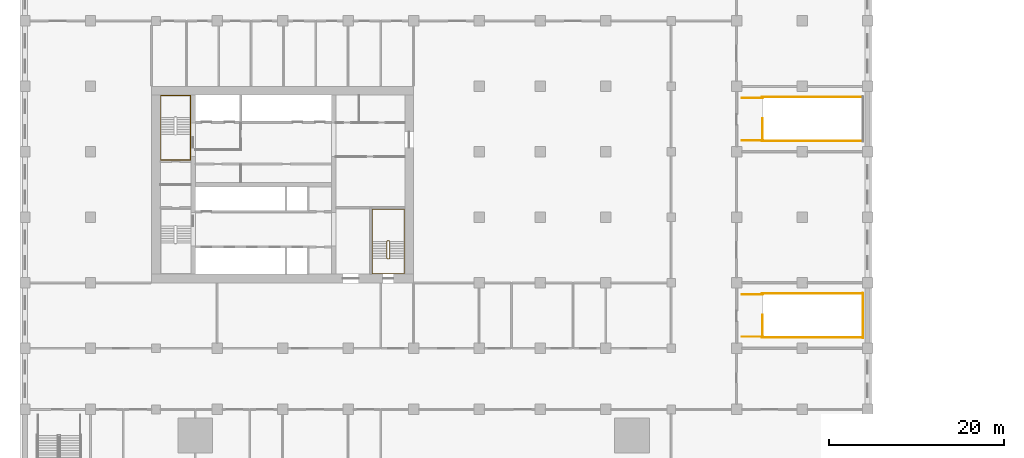
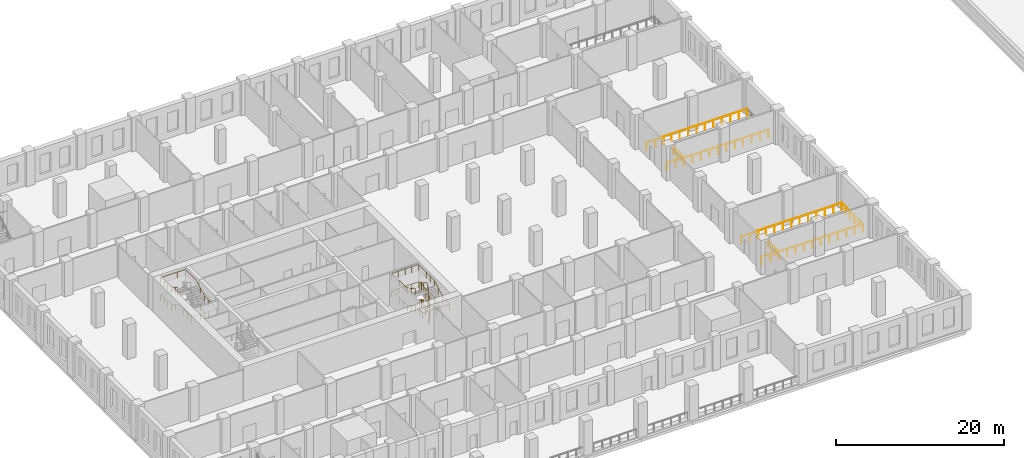
# One storey, part 19 of 22: 14 railings.
"""IFC4 building model written with IfcOpenShell, lengths in metres."""

from ifc_helpers import new_model, si_unit, direction, frame, origin, origin_2d, place, context, subcontext, project, spatial, circle, extrude, material, type_object, element, save


model = new_model("IFC4")

# Units and contexts
model_context = context("Model", 3, precision=1e-05, world=origin(), true_north=direction((0.0, 1.0)))
body_context = subcontext(model_context, "Body", "Model", "MODEL_VIEW")
ifc_project = project(units=[si_unit("LENGTHUNIT", "METRE"), si_unit("AREAUNIT", "SQUARE_METRE"), si_unit("VOLUMEUNIT", "CUBIC_METRE"), si_unit("PLANEANGLEUNIT", "RADIAN"), si_unit("MASSUNIT", "GRAM", prefix="KILO")], contexts=[model_context])

# Site, building, storey
site_placement = place(None, origin())
site = spatial("IfcSite", under=ifc_project, at=site_placement, CompositionType="ELEMENT")
building_placement = place(site_placement, origin())
building = spatial("IfcBuilding", under=site, at=building_placement, Name="Tamorin Gate", CompositionType="ELEMENT")
storey_placement = place(building_placement, frame((0.0, 0.0, 29.0)))
storey = spatial("IfcBuildingStorey", under=building, at=storey_placement, Name="L05", CompositionType="ELEMENT", Elevation=29.0)

# Railings
ifc_material_1 = material(Name="Steel", Category="steel")
railing_type_1 = type_object("IfcRailingType", Name="Podium guard 1100", PredefinedType="GUARDRAIL", material=ifc_material_1)
railing_1_placement = place(storey_placement, frame((99.949951171875, 53.77490234375, 0.0)))
element("IfcRailing", 1, at=railing_1_placement, inside=storey, type_object=railing_type_1, Name="L05 PS3 top well guard 1", PredefinedType="GUARDRAIL", context=body_context, shape_type="SweptSolid", body=[
    extrude(circle(Radius=0.02392578125, at=origin_2d()), frame((0.0, 0.0, 1.076171875), z_axis=(0.0, 1.0, 0.0), x_axis=(-1.0, 0.0, 0.0)), (0.0, 0.0, 1.0), 2.550048828125),
    extrude(circle(Radius=0.02099609375, at=origin_2d()), origin(), (0.0, 0.0, 1.0), 1.052001953125),
    extrude(circle(Radius=0.02099609375, at=origin_2d()), frame((0.0, 0.85009765625, 0.0)), (0.0, 0.0, 1.0), 1.052001953125),
    extrude(circle(Radius=0.02099609375, at=origin_2d()), frame((0.0, 1.699951171875, 0.0)), (0.0, 0.0, 1.0), 1.052001953125),
    extrude(circle(Radius=0.02099609375, at=origin_2d()), frame((0.0, 2.550048828125, 0.0)), (0.0, 0.0, 1.0), 1.052001953125),
])
for number, where, name in (
    (2, (99.89990234375, 53.72509765625, 0.0), "L05 PS3 top well guard 2"),
    (3, (99.89990234375, 58.77490234375, 0.0), "L05 PS3 top well guard 3"),
):
    element("IfcRailing", number, at=place(storey_placement, frame(where)), inside=storey, type_object=railing_type_1, Name=name, PredefinedType="GUARDRAIL", context=body_context, shape_type="SweptSolid", body=[
        extrude(circle(Radius=0.02392578125, at=origin_2d()), frame((0.0, 0.0, 1.076171875), z_axis=(1.0, 0.0, 0.0), x_axis=(0.0, 1.0, 0.0)), (0.0, 0.0, 1.0), 11.60009765625),
        extrude(circle(Radius=0.02099609375, at=origin_2d()), origin(), (0.0, 0.0, 1.0), 1.052001953125),
        extrude(circle(Radius=0.02099609375, at=origin_2d()), frame((1.159912109375, 0.0, 0.0)), (0.0, 0.0, 1.0), 1.052001953125),
        extrude(circle(Radius=0.02099609375, at=origin_2d()), frame((2.320068359375, 0.0, 0.0)), (0.0, 0.0, 1.0), 1.052001953125),
        extrude(circle(Radius=0.02099609375, at=origin_2d()), frame((3.47998046875, 0.0, 0.0)), (0.0, 0.0, 1.0), 1.052001953125),
        extrude(circle(Radius=0.02099609375, at=origin_2d()), frame((4.64013671875, 0.0, 0.0)), (0.0, 0.0, 1.0), 1.052001953125),
        extrude(circle(Radius=0.02099609375, at=origin_2d()), frame((5.800048828125, 0.0, 0.0)), (0.0, 0.0, 1.0), 1.052001953125),
        extrude(circle(Radius=0.02099609375, at=origin_2d()), frame((6.9599609375, 0.0, 0.0)), (0.0, 0.0, 1.0), 1.052001953125),
        extrude(circle(Radius=0.02099609375, at=origin_2d()), frame((8.1201171875, 0.0, 0.0)), (0.0, 0.0, 1.0), 1.052001953125),
        extrude(circle(Radius=0.02099609375, at=origin_2d()), frame((9.280029296875, 0.0, 0.0)), (0.0, 0.0, 1.0), 1.052001953125),
        extrude(circle(Radius=0.02099609375, at=origin_2d()), frame((10.440185546875, 0.0, 0.0)), (0.0, 0.0, 1.0), 1.052001953125),
        extrude(circle(Radius=0.02099609375, at=origin_2d()), frame((11.60009765625, 0.0, 0.0)), (0.0, 0.0, 1.0), 1.052001953125),
    ])
railing_2_placement = place(storey_placement, frame((111.449951171875, 53.675048828125, 0.0)))
element("IfcRailing", 4, at=railing_2_placement, inside=storey, type_object=railing_type_1, Name="L05 PS3 top well guard 4", PredefinedType="GUARDRAIL", context=body_context, shape_type="SweptSolid", body=[
    extrude(circle(Radius=0.02392578125, at=origin_2d()), frame((0.0, 0.0, 1.076171875), z_axis=(0.0, 1.0, 0.0), x_axis=(-1.0, 0.0, 0.0)), (0.0, 0.0, 1.0), 5.14990234375),
    extrude(circle(Radius=0.02099609375, at=origin_2d()), origin(), (0.0, 0.0, 1.0), 1.052001953125),
    extrude(circle(Radius=0.02099609375, at=origin_2d()), frame((0.0, 1.030029296875, 0.0)), (0.0, 0.0, 1.0), 1.052001953125),
    extrude(circle(Radius=0.02099609375, at=origin_2d()), frame((0.0, 2.06005859375, 0.0)), (0.0, 0.0, 1.0), 1.052001953125),
    extrude(circle(Radius=0.02099609375, at=origin_2d()), frame((0.0, 3.08984375, 0.0)), (0.0, 0.0, 1.0), 1.052001953125),
    extrude(circle(Radius=0.02099609375, at=origin_2d()), frame((0.0, 4.119873046875, 0.0)), (0.0, 0.0, 1.0), 1.052001953125),
    extrude(circle(Radius=0.02099609375, at=origin_2d()), frame((0.0, 5.14990234375, 0.0)), (0.0, 0.0, 1.0), 1.052001953125),
])
for number, where, name in (
    (5, (97.60009765625, 53.824951171875, 0.0), "L05 PS3 top well guard 5"),
    (6, (97.60009765625, 58.675048828125, 0.0), "L05 PS3 top well guard 6"),
):
    element("IfcRailing", number, at=place(storey_placement, frame(where)), inside=storey, type_object=railing_type_1, Name=name, PredefinedType="GUARDRAIL", context=body_context, shape_type="SweptSolid", body=[
        extrude(circle(Radius=0.02392578125, at=origin_2d()), frame((0.0, 0.0, 1.076171875), z_axis=(1.0, 0.0, 0.0), x_axis=(0.0, 1.0, 0.0)), (0.0, 0.0, 1.0), 2.39990234375),
        extrude(circle(Radius=0.02099609375, at=origin_2d()), origin(), (0.0, 0.0, 1.0), 1.052001953125),
        extrude(circle(Radius=0.02099609375, at=origin_2d()), frame((1.199951171875, 0.0, 0.0)), (0.0, 0.0, 1.0), 1.052001953125),
        extrude(circle(Radius=0.02099609375, at=origin_2d()), frame((2.39990234375, 0.0, 0.0)), (0.0, 0.0, 1.0), 1.052001953125),
    ])
railing_3_placement = place(storey_placement, frame((99.949951171875, 76.27490234375, 0.0)))
element("IfcRailing", 7, at=railing_3_placement, inside=storey, type_object=railing_type_1, Name="L05 PS5 top well guard 1", PredefinedType="GUARDRAIL", context=body_context, shape_type="SweptSolid", body=[
    extrude(circle(Radius=0.02392578125, at=origin_2d()), frame((0.0, 0.0, 1.076171875), z_axis=(0.0, 1.0, 0.0), x_axis=(-1.0, 0.0, 0.0)), (0.0, 0.0, 1.0), 2.550048828125),
    extrude(circle(Radius=0.02099609375, at=origin_2d()), origin(), (0.0, 0.0, 1.0), 1.052001953125),
    extrude(circle(Radius=0.02099609375, at=origin_2d()), frame((0.0, 0.85009765625, 0.0)), (0.0, 0.0, 1.0), 1.052001953125),
    extrude(circle(Radius=0.02099609375, at=origin_2d()), frame((0.0, 1.699951171875, 0.0)), (0.0, 0.0, 1.0), 1.052001953125),
    extrude(circle(Radius=0.02099609375, at=origin_2d()), frame((0.0, 2.550048828125, 0.0)), (0.0, 0.0, 1.0), 1.052001953125),
])
for number, where, name in (
    (8, (99.89990234375, 76.22509765625, 0.0), "L05 PS5 top well guard 2"),
    (9, (99.89990234375, 81.27490234375, 0.0), "L05 PS5 top well guard 3"),
):
    element("IfcRailing", number, at=place(storey_placement, frame(where)), inside=storey, type_object=railing_type_1, Name=name, PredefinedType="GUARDRAIL", context=body_context, shape_type="SweptSolid", body=[
        extrude(circle(Radius=0.02392578125, at=origin_2d()), frame((0.0, 0.0, 1.076171875), z_axis=(1.0, 0.0, 0.0), x_axis=(0.0, 1.0, 0.0)), (0.0, 0.0, 1.0), 11.60009765625),
        extrude(circle(Radius=0.02099609375, at=origin_2d()), origin(), (0.0, 0.0, 1.0), 1.052001953125),
        extrude(circle(Radius=0.02099609375, at=origin_2d()), frame((1.159912109375, 0.0, 0.0)), (0.0, 0.0, 1.0), 1.052001953125),
        extrude(circle(Radius=0.02099609375, at=origin_2d()), frame((2.320068359375, 0.0, 0.0)), (0.0, 0.0, 1.0), 1.052001953125),
        extrude(circle(Radius=0.02099609375, at=origin_2d()), frame((3.47998046875, 0.0, 0.0)), (0.0, 0.0, 1.0), 1.052001953125),
        extrude(circle(Radius=0.02099609375, at=origin_2d()), frame((4.64013671875, 0.0, 0.0)), (0.0, 0.0, 1.0), 1.052001953125),
        extrude(circle(Radius=0.02099609375, at=origin_2d()), frame((5.800048828125, 0.0, 0.0)), (0.0, 0.0, 1.0), 1.052001953125),
        extrude(circle(Radius=0.02099609375, at=origin_2d()), frame((6.9599609375, 0.0, 0.0)), (0.0, 0.0, 1.0), 1.052001953125),
        extrude(circle(Radius=0.02099609375, at=origin_2d()), frame((8.1201171875, 0.0, 0.0)), (0.0, 0.0, 1.0), 1.052001953125),
        extrude(circle(Radius=0.02099609375, at=origin_2d()), frame((9.280029296875, 0.0, 0.0)), (0.0, 0.0, 1.0), 1.052001953125),
        extrude(circle(Radius=0.02099609375, at=origin_2d()), frame((10.440185546875, 0.0, 0.0)), (0.0, 0.0, 1.0), 1.052001953125),
        extrude(circle(Radius=0.02099609375, at=origin_2d()), frame((11.60009765625, 0.0, 0.0)), (0.0, 0.0, 1.0), 1.052001953125),
    ])
for number, where, name in (
    (10, (97.60009765625, 76.324951171875, 0.0), "L05 PS5 top well guard 5"),
    (11, (97.60009765625, 81.175048828125, 0.0), "L05 PS5 top well guard 6"),
):
    element("IfcRailing", number, at=place(storey_placement, frame(where)), inside=storey, type_object=railing_type_1, Name=name, PredefinedType="GUARDRAIL", context=body_context, shape_type="SweptSolid", body=[
        extrude(circle(Radius=0.02392578125, at=origin_2d()), frame((0.0, 0.0, 1.076171875), z_axis=(1.0, 0.0, 0.0), x_axis=(0.0, 1.0, 0.0)), (0.0, 0.0, 1.0), 2.39990234375),
        extrude(circle(Radius=0.02099609375, at=origin_2d()), origin(), (0.0, 0.0, 1.0), 1.052001953125),
        extrude(circle(Radius=0.02099609375, at=origin_2d()), frame((1.199951171875, 0.0, 0.0)), (0.0, 0.0, 1.0), 1.052001953125),
        extrude(circle(Radius=0.02099609375, at=origin_2d()), frame((2.39990234375, 0.0, 0.0)), (0.0, 0.0, 1.0), 1.052001953125),
    ])
ifc_material_2 = material(Name="Painted steel balustrade", Category="steel")
railing_type_2 = type_object("IfcRailingType", Name="Stair guard 1100", PredefinedType="GUARDRAIL", material=ifc_material_2)
railing_4_placement = place(storey_placement, frame((57.25, 62.800048828125, 0.15625)))
element("IfcRailing", 12, at=railing_4_placement, inside=storey, type_object=railing_type_2, Name="L05 ST3 stair guard 1", PredefinedType="GUARDRAIL", context=body_context, shape_type="SweptSolid", body=[
    extrude(circle(Radius=0.02392578125, at=origin_2d()), frame((0.0, 0.0, 1.076171875), z_axis=(0.0, 0.873232148454, 0.487304437602), x_axis=(-1.0, 0.0, 0.0)), (0.0, 0.0, 1.0), 2.244384765625),
    extrude(circle(Radius=0.02392578125, at=origin_2d()), frame((0.0, 1.9599609375, 2.169921875), z_axis=(-0.707106781187, 0.707106781187, 0.0), x_axis=(-0.707106781187, -0.707106781187, 0.0)), (0.0, 0.0, 1.0), 0.07080078125),
    extrude(circle(Radius=0.02392578125, at=origin_2d()), frame((-0.050048828125, 2.010009765625, 2.169921875), z_axis=(-1.0, 0.0, 0.0), x_axis=(0.0, -1.0, 0.0)), (0.0, 0.0, 1.0), 0.199951171875),
    extrude(circle(Radius=0.02392578125, at=origin_2d()), frame((-0.25, 2.010009765625, 2.169921875), z_axis=(-0.29177245553, -0.29177245553, 0.91089937336), x_axis=(0.707106781187, -0.707106781187, 0.0)), (0.0, 0.0, 1.0), 0.171630859375),
    extrude(circle(Radius=0.02392578125, at=origin_2d()), frame((-0.300048828125, 1.9599609375, 2.326171875), z_axis=(0.0, -0.873232148454, 0.487304437602), x_axis=(1.0, 0.0, 0.0)), (0.0, 0.0, 1.0), 2.244384765625),
    extrude(circle(Radius=0.02392578125, at=origin_2d()), frame((-0.300048828125, 0.0, 3.419921875), z_axis=(0.98054382908, -0.196300278283, 0.0), x_axis=(0.196300278283, 0.98054382908, 0.0)), (0.0, 0.0, 1.0), 0.2548828125),
    extrude(circle(Radius=0.02392578125, at=origin_2d()), frame((-0.050048828125, -0.050048828125, 3.419921875), z_axis=(-1.0, 0.0, 0.0), x_axis=(0.0, -1.0, 0.0)), (0.0, 0.0, 1.0), 0.199951171875),
    extrude(circle(Radius=0.02392578125, at=origin_2d()), frame((-0.25, -0.050048828125, 3.419921875), z_axis=(0.836036486302, 0.167370585637, 0.522522803939), x_axis=(-0.196300278283, 0.98054382908, 0.0)), (0.0, 0.0, 1.0), 0.299072265625),
    extrude(circle(Radius=0.02392578125, at=origin_2d()), frame((0.0, 0.0, 3.576171875), z_axis=(0.0, 0.873232148454, 0.487304437602), x_axis=(-1.0, 0.0, 0.0)), (0.0, 0.0, 1.0), 2.244384765625),
    extrude(circle(Radius=0.02392578125, at=origin_2d()), frame((0.0, 1.9599609375, 4.669921875), z_axis=(-0.707106781187, 0.707106781187, 0.0), x_axis=(-0.707106781187, -0.707106781187, 0.0)), (0.0, 0.0, 1.0), 0.07080078125),
    extrude(circle(Radius=0.02392578125, at=origin_2d()), frame((-0.050048828125, 2.010009765625, 4.669921875), z_axis=(-1.0, 0.0, 0.0), x_axis=(0.0, -1.0, 0.0)), (0.0, 0.0, 1.0), 0.199951171875),
    extrude(circle(Radius=0.02392578125, at=origin_2d()), frame((-0.25, 2.010009765625, 4.669921875), z_axis=(-0.29177245553, -0.29177245553, 0.91089937336), x_axis=(0.707106781187, -0.707106781187, 0.0)), (0.0, 0.0, 1.0), 0.171630859375),
    extrude(circle(Radius=0.02392578125, at=origin_2d()), frame((-0.300048828125, 1.9599609375, 4.826171875), z_axis=(0.0, -0.873232148454, 0.487304437602), x_axis=(1.0, 0.0, 0.0)), (0.0, 0.0, 1.0), 2.244384765625),
    extrude(circle(Radius=0.02392578125, at=origin_2d()), frame((-0.300048828125, 0.0, 5.919921875), z_axis=(0.04993512161, -0.009996777275, -0.998702432196), x_axis=(0.196300278283, 0.98054382908, 0.0)), (0.0, 0.0, 1.0), 5.006591796875),
    extrude(circle(Radius=0.02392578125, at=origin_2d()), frame((-0.050048828125, -0.050048828125, 0.919921875), z_axis=(-1.0, 0.0, 0.0), x_axis=(0.0, -1.0, 0.0)), (0.0, 0.0, 1.0), 0.199951171875),
    extrude(circle(Radius=0.02099609375, at=origin_2d()), origin(), (0.0, 0.0, 1.0), 1.052001953125),
    extrude(circle(Radius=0.02099609375, at=origin_2d()), frame((0.0, 0.97998046875, 0.546875)), (0.0, 0.0, 1.0), 1.052001953125),
    extrude(circle(Radius=0.02099609375, at=origin_2d()), frame((0.0, 1.9599609375, 1.09375)), (0.0, 0.0, 1.0), 1.052001953125),
    extrude(circle(Radius=0.02099609375, at=origin_2d()), frame((-0.050048828125, 2.010009765625, 1.09375)), (0.0, 0.0, 1.0), 1.052001953125),
    extrude(circle(Radius=0.02099609375, at=origin_2d()), frame((-0.25, 2.010009765625, 1.09375)), (0.0, 0.0, 1.0), 1.052001953125),
    extrude(circle(Radius=0.02099609375, at=origin_2d()), frame((-0.300048828125, 1.9599609375, 1.25)), (0.0, 0.0, 1.0), 1.052001953125),
    extrude(circle(Radius=0.02099609375, at=origin_2d()), frame((-0.300048828125, 0.97998046875, 1.796875)), (0.0, 0.0, 1.0), 1.052001953125),
    extrude(circle(Radius=0.02099609375, at=origin_2d()), frame((-0.300048828125, 0.0, 2.34375)), (0.0, 0.0, 1.0), 1.052001953125),
    extrude(circle(Radius=0.02099609375, at=origin_2d()), frame((-0.050048828125, -0.050048828125, 2.34375)), (0.0, 0.0, 1.0), 1.052001953125),
    extrude(circle(Radius=0.02099609375, at=origin_2d()), frame((-0.25, -0.050048828125, 2.34375)), (0.0, 0.0, 1.0), 1.052001953125),
    extrude(circle(Radius=0.02099609375, at=origin_2d()), frame((0.0, 0.0, 2.5)), (0.0, 0.0, 1.0), 1.052001953125),
    extrude(circle(Radius=0.02099609375, at=origin_2d()), frame((0.0, 0.97998046875, 3.046875)), (0.0, 0.0, 1.0), 1.052001953125),
    extrude(circle(Radius=0.02099609375, at=origin_2d()), frame((0.0, 1.9599609375, 3.59375)), (0.0, 0.0, 1.0), 1.052001953125),
    extrude(circle(Radius=0.02099609375, at=origin_2d()), frame((-0.050048828125, 2.010009765625, 3.59375)), (0.0, 0.0, 1.0), 1.052001953125),
    extrude(circle(Radius=0.02099609375, at=origin_2d()), frame((-0.25, 2.010009765625, 3.59375)), (0.0, 0.0, 1.0), 1.052001953125),
    extrude(circle(Radius=0.02099609375, at=origin_2d()), frame((-0.300048828125, 1.9599609375, 3.75)), (0.0, 0.0, 1.0), 1.052001953125),
    extrude(circle(Radius=0.02099609375, at=origin_2d()), frame((-0.300048828125, 0.97998046875, 4.296875)), (0.0, 0.0, 1.0), 1.052001953125),
    extrude(circle(Radius=0.02099609375, at=origin_2d()), frame((-0.300048828125, 0.0, 4.84375)), (0.0, 0.0, 1.0), 1.052001953125),
    extrude(circle(Radius=0.02099609375, at=origin_2d()), frame((-0.25, -0.010009765625, 3.84375)), (0.0, 0.0, 1.0), 1.052001953125),
    extrude(circle(Radius=0.02099609375, at=origin_2d()), frame((-0.199951171875, -0.02001953125, 2.84375)), (0.0, 0.0, 1.0), 1.052001953125),
    extrude(circle(Radius=0.02099609375, at=origin_2d()), frame((-0.150146484375, -0.030029296875, 1.84375)), (0.0, 0.0, 1.0), 1.052001953125),
    extrude(circle(Radius=0.02099609375, at=origin_2d()), frame((-0.10009765625, -0.0400390625, 0.84375)), (0.0, 0.0, 1.0), 1.052001953125),
    extrude(circle(Radius=0.02099609375, at=origin_2d()), frame((-0.050048828125, -0.050048828125, -0.15625)), (0.0, 0.0, 1.0), 1.052001953125),
    extrude(circle(Radius=0.02099609375, at=origin_2d()), frame((-0.25, -0.050048828125, -0.15625)), (0.0, 0.0, 1.0), 1.052001953125),
])
ifc_material_3 = material(Name="Painted steel handrail", Category="steel")
railing_type_3 = type_object("IfcRailingType", Name="Stair handrail 900", PredefinedType="HANDRAIL", material=ifc_material_3)
railing_5_placement = place(storey_placement, frame((34.449951171875, 77.0, 0.15625)))
element("IfcRailing", 13, at=railing_5_placement, inside=storey, type_object=railing_type_3, Name="L05 ST2 stair handrail 1", PredefinedType="HANDRAIL", context=body_context, shape_type="SweptSolid", body=[
    extrude(circle(Radius=0.02392578125, at=origin_2d()), frame((0.0, 0.0, 0.8759765625), z_axis=(0.0, 0.873232148454, 0.487304437602), x_axis=(-1.0, 0.0, 0.0)), (0.0, 0.0, 1.0), 2.244384765625),
    extrude(circle(Radius=0.02392578125, at=origin_2d()), frame((0.0, 1.9599609375, 1.9697265625), z_axis=(0.0, 1.0, 0.0), x_axis=(-1.0, 0.0, 0.0)), (0.0, 0.0, 1.0), 2.489990234375),
    extrude(circle(Radius=0.02392578125, at=origin_2d()), frame((0.0, 4.449951171875, 1.9697265625), z_axis=(-1.0, 0.0, 0.0), x_axis=(0.0, -1.0, 0.0)), (0.0, 0.0, 1.0), 3.39990234375),
    extrude(circle(Radius=0.02392578125, at=origin_2d()), frame((-3.39990234375, 4.449951171875, 1.9697265625), z_axis=(0.0, -0.998036935902, 0.062628065396), x_axis=(1.0, 0.0, 0.0)), (0.0, 0.0, 1.0), 2.494873046875),
    extrude(circle(Radius=0.02392578125, at=origin_2d()), frame((-3.39990234375, 1.9599609375, 2.1259765625), z_axis=(0.0, -0.873232148454, 0.487304437602), x_axis=(1.0, 0.0, 0.0)), (0.0, 0.0, 1.0), 2.244384765625),
    extrude(circle(Radius=0.02392578125, at=origin_2d()), frame((-3.39990234375, 0.0, 3.2197265625), z_axis=(0.0, -1.0, 0.0), x_axis=(1.0, 0.0, 0.0)), (0.0, 0.0, 1.0), 2.949951171875),
    extrude(circle(Radius=0.02392578125, at=origin_2d()), frame((-3.39990234375, -2.949951171875, 3.2197265625), z_axis=(1.0, 0.0, 0.0), x_axis=(0.0, 1.0, 0.0)), (0.0, 0.0, 1.0), 3.39990234375),
    extrude(circle(Radius=0.02392578125, at=origin_2d()), frame((0.0, -2.949951171875, 3.2197265625), z_axis=(0.0, 0.998600194279, 0.05289283492), x_axis=(-1.0, 0.0, 0.0)), (0.0, 0.0, 1.0), 2.9541015625),
    extrude(circle(Radius=0.02392578125, at=origin_2d()), frame((0.0, 0.0, 3.3759765625), z_axis=(0.0, 0.873232148454, 0.487304437602), x_axis=(-1.0, 0.0, 0.0)), (0.0, 0.0, 1.0), 2.244384765625),
    extrude(circle(Radius=0.02392578125, at=origin_2d()), frame((0.0, 1.9599609375, 4.4697265625), z_axis=(0.0, 1.0, 0.0), x_axis=(-1.0, 0.0, 0.0)), (0.0, 0.0, 1.0), 2.489990234375),
    extrude(circle(Radius=0.02392578125, at=origin_2d()), frame((0.0, 4.449951171875, 4.4697265625), z_axis=(-1.0, 0.0, 0.0), x_axis=(0.0, -1.0, 0.0)), (0.0, 0.0, 1.0), 3.39990234375),
    extrude(circle(Radius=0.02392578125, at=origin_2d()), frame((-3.39990234375, 4.449951171875, 4.4697265625), z_axis=(0.0, -0.998036935902, 0.062628065396), x_axis=(1.0, 0.0, 0.0)), (0.0, 0.0, 1.0), 2.494873046875),
    extrude(circle(Radius=0.02392578125, at=origin_2d()), frame((-3.39990234375, 1.9599609375, 4.6259765625), z_axis=(0.0, -0.873232148454, 0.487304437602), x_axis=(1.0, 0.0, 0.0)), (0.0, 0.0, 1.0), 2.244384765625),
    extrude(circle(Radius=0.02099609375, at=origin_2d()), origin(), (0.0, 0.0, 1.0), 0.851806640625),
    extrude(circle(Radius=0.02099609375, at=origin_2d()), frame((0.0, 0.97998046875, 0.546875)), (0.0, 0.0, 1.0), 0.851806640625),
    extrude(circle(Radius=0.02099609375, at=origin_2d()), frame((0.0, 1.9599609375, 1.09375)), (0.0, 0.0, 1.0), 0.851806640625),
    extrude(circle(Radius=0.02099609375, at=origin_2d()), frame((0.0, 2.7900390625, 1.09375)), (0.0, 0.0, 1.0), 0.851806640625),
    extrude(circle(Radius=0.02099609375, at=origin_2d()), frame((0.0, 3.619873046875, 1.09375)), (0.0, 0.0, 1.0), 0.851806640625),
    extrude(circle(Radius=0.02099609375, at=origin_2d()), frame((0.0, 4.449951171875, 1.09375)), (0.0, 0.0, 1.0), 0.851806640625),
    extrude(circle(Radius=0.02099609375, at=origin_2d()), frame((-1.13330078125, 4.449951171875, 1.09375)), (0.0, 0.0, 1.0), 0.851806640625),
    extrude(circle(Radius=0.02099609375, at=origin_2d()), frame((-2.2666015625, 4.449951171875, 1.09375)), (0.0, 0.0, 1.0), 0.851806640625),
    extrude(circle(Radius=0.02099609375, at=origin_2d()), frame((-3.39990234375, 4.449951171875, 1.09375)), (0.0, 0.0, 1.0), 0.851806640625),
    extrude(circle(Radius=0.02099609375, at=origin_2d()), frame((-3.39990234375, 3.619873046875, 1.145751953125)), (0.0, 0.0, 1.0), 0.851806640625),
    extrude(circle(Radius=0.02099609375, at=origin_2d()), frame((-3.39990234375, 2.7900390625, 1.197998046875)), (0.0, 0.0, 1.0), 0.851806640625),
    extrude(circle(Radius=0.02099609375, at=origin_2d()), frame((-3.39990234375, 1.9599609375, 1.25)), (0.0, 0.0, 1.0), 0.851806640625),
    extrude(circle(Radius=0.02099609375, at=origin_2d()), frame((-3.39990234375, 0.97998046875, 1.796875)), (0.0, 0.0, 1.0), 0.851806640625),
    extrude(circle(Radius=0.02099609375, at=origin_2d()), frame((-3.39990234375, 0.0, 2.34375)), (0.0, 0.0, 1.0), 0.851806640625),
    extrude(circle(Radius=0.02099609375, at=origin_2d()), frame((-3.39990234375, -0.9833984375, 2.34375)), (0.0, 0.0, 1.0), 0.851806640625),
    extrude(circle(Radius=0.02099609375, at=origin_2d()), frame((-3.39990234375, -1.966552734375, 2.34375)), (0.0, 0.0, 1.0), 0.851806640625),
    extrude(circle(Radius=0.02099609375, at=origin_2d()), frame((-3.39990234375, -2.949951171875, 2.34375)), (0.0, 0.0, 1.0), 0.851806640625),
    extrude(circle(Radius=0.02099609375, at=origin_2d()), frame((-2.2666015625, -2.949951171875, 2.34375)), (0.0, 0.0, 1.0), 0.851806640625),
    extrude(circle(Radius=0.02099609375, at=origin_2d()), frame((-1.13330078125, -2.949951171875, 2.34375)), (0.0, 0.0, 1.0), 0.851806640625),
    extrude(circle(Radius=0.02099609375, at=origin_2d()), frame((0.0, -2.949951171875, 2.34375)), (0.0, 0.0, 1.0), 0.851806640625),
    extrude(circle(Radius=0.02099609375, at=origin_2d()), frame((0.0, -1.966552734375, 2.395751953125)), (0.0, 0.0, 1.0), 0.851806640625),
    extrude(circle(Radius=0.02099609375, at=origin_2d()), frame((0.0, -0.9833984375, 2.447998046875)), (0.0, 0.0, 1.0), 0.851806640625),
    extrude(circle(Radius=0.02099609375, at=origin_2d()), frame((0.0, 0.0, 2.5)), (0.0, 0.0, 1.0), 0.851806640625),
    extrude(circle(Radius=0.02099609375, at=origin_2d()), frame((0.0, 0.97998046875, 3.046875)), (0.0, 0.0, 1.0), 0.851806640625),
    extrude(circle(Radius=0.02099609375, at=origin_2d()), frame((0.0, 1.9599609375, 3.59375)), (0.0, 0.0, 1.0), 0.851806640625),
    extrude(circle(Radius=0.02099609375, at=origin_2d()), frame((0.0, 2.7900390625, 3.59375)), (0.0, 0.0, 1.0), 0.851806640625),
    extrude(circle(Radius=0.02099609375, at=origin_2d()), frame((0.0, 3.619873046875, 3.59375)), (0.0, 0.0, 1.0), 0.851806640625),
    extrude(circle(Radius=0.02099609375, at=origin_2d()), frame((0.0, 4.449951171875, 3.59375)), (0.0, 0.0, 1.0), 0.851806640625),
    extrude(circle(Radius=0.02099609375, at=origin_2d()), frame((-1.13330078125, 4.449951171875, 3.59375)), (0.0, 0.0, 1.0), 0.851806640625),
    extrude(circle(Radius=0.02099609375, at=origin_2d()), frame((-2.2666015625, 4.449951171875, 3.59375)), (0.0, 0.0, 1.0), 0.851806640625),
    extrude(circle(Radius=0.02099609375, at=origin_2d()), frame((-3.39990234375, 4.449951171875, 3.59375)), (0.0, 0.0, 1.0), 0.851806640625),
    extrude(circle(Radius=0.02099609375, at=origin_2d()), frame((-3.39990234375, 3.619873046875, 3.645751953125)), (0.0, 0.0, 1.0), 0.851806640625),
    extrude(circle(Radius=0.02099609375, at=origin_2d()), frame((-3.39990234375, 2.7900390625, 3.697998046875)), (0.0, 0.0, 1.0), 0.851806640625),
    extrude(circle(Radius=0.02099609375, at=origin_2d()), frame((-3.39990234375, 1.9599609375, 3.75)), (0.0, 0.0, 1.0), 0.851806640625),
    extrude(circle(Radius=0.02099609375, at=origin_2d()), frame((-3.39990234375, 0.97998046875, 4.296875)), (0.0, 0.0, 1.0), 0.851806640625),
    extrude(circle(Radius=0.02099609375, at=origin_2d()), frame((-3.39990234375, 0.0, 4.84375)), (0.0, 0.0, 1.0), 0.851806640625),
])
railing_6_placement = place(storey_placement, frame((58.949951171875, 62.800048828125, 0.15625)))
element("IfcRailing", 14, at=railing_6_placement, inside=storey, type_object=railing_type_3, Name="L05 ST3 stair handrail 1", PredefinedType="HANDRAIL", context=body_context, shape_type="SweptSolid", body=[
    extrude(circle(Radius=0.02392578125, at=origin_2d()), frame((0.0, 0.0, 0.8759765625), z_axis=(0.0, 0.873232148454, 0.487304437602), x_axis=(-1.0, 0.0, 0.0)), (0.0, 0.0, 1.0), 2.244384765625),
    extrude(circle(Radius=0.02392578125, at=origin_2d()), frame((0.0, 1.9599609375, 1.9697265625), z_axis=(0.0, 1.0, 0.0), x_axis=(-1.0, 0.0, 0.0)), (0.0, 0.0, 1.0), 3.68994140625),
    extrude(circle(Radius=0.02392578125, at=origin_2d()), frame((0.0, 5.64990234375, 1.9697265625), z_axis=(-1.0, 0.0, 0.0), x_axis=(0.0, -1.0, 0.0)), (0.0, 0.0, 1.0), 3.699951171875),
    extrude(circle(Radius=0.02392578125, at=origin_2d()), frame((-3.699951171875, 5.64990234375, 1.9697265625), z_axis=(0.0, -0.999104660901, 0.042306932842), x_axis=(1.0, 0.0, 0.0)), (0.0, 0.0, 1.0), 3.693359375),
    extrude(circle(Radius=0.02392578125, at=origin_2d()), frame((-3.699951171875, 1.9599609375, 2.1259765625), z_axis=(0.0, -0.873232148454, 0.487304437602), x_axis=(1.0, 0.0, 0.0)), (0.0, 0.0, 1.0), 2.244384765625),
    extrude(circle(Radius=0.02392578125, at=origin_2d()), frame((-3.699951171875, 0.0, 3.2197265625), z_axis=(0.0, -1.0, 0.0), x_axis=(1.0, 0.0, 0.0)), (0.0, 0.0, 1.0), 1.75),
    extrude(circle(Radius=0.02392578125, at=origin_2d()), frame((-3.699951171875, -1.75, 3.2197265625), z_axis=(1.0, 0.0, 0.0), x_axis=(0.0, 1.0, 0.0)), (0.0, 0.0, 1.0), 3.699951171875),
    extrude(circle(Radius=0.02392578125, at=origin_2d()), frame((0.0, -1.75, 3.2197265625), z_axis=(0.0, 0.996037705314, 0.088931937975), x_axis=(-1.0, 0.0, 0.0)), (0.0, 0.0, 1.0), 1.757080078125),
    extrude(circle(Radius=0.02392578125, at=origin_2d()), frame((0.0, 0.0, 3.3759765625), z_axis=(0.0, 0.873232148454, 0.487304437602), x_axis=(-1.0, 0.0, 0.0)), (0.0, 0.0, 1.0), 2.244384765625),
    extrude(circle(Radius=0.02392578125, at=origin_2d()), frame((0.0, 1.9599609375, 4.4697265625), z_axis=(0.0, 1.0, 0.0), x_axis=(-1.0, 0.0, 0.0)), (0.0, 0.0, 1.0), 3.68994140625),
    extrude(circle(Radius=0.02392578125, at=origin_2d()), frame((0.0, 5.64990234375, 4.4697265625), z_axis=(-1.0, 0.0, 0.0), x_axis=(0.0, -1.0, 0.0)), (0.0, 0.0, 1.0), 3.699951171875),
    extrude(circle(Radius=0.02392578125, at=origin_2d()), frame((-3.699951171875, 5.64990234375, 4.4697265625), z_axis=(0.0, -0.999104660901, 0.042306932842), x_axis=(1.0, 0.0, 0.0)), (0.0, 0.0, 1.0), 3.693359375),
    extrude(circle(Radius=0.02392578125, at=origin_2d()), frame((-3.699951171875, 1.9599609375, 4.6259765625), z_axis=(0.0, -0.873232148454, 0.487304437602), x_axis=(1.0, 0.0, 0.0)), (0.0, 0.0, 1.0), 2.244384765625),
    extrude(circle(Radius=0.02099609375, at=origin_2d()), origin(), (0.0, 0.0, 1.0), 0.851806640625),
    extrude(circle(Radius=0.02099609375, at=origin_2d()), frame((0.0, 0.97998046875, 0.546875)), (0.0, 0.0, 1.0), 0.851806640625),
    extrude(circle(Radius=0.02099609375, at=origin_2d()), frame((0.0, 1.9599609375, 1.09375)), (0.0, 0.0, 1.0), 0.851806640625),
    extrude(circle(Radius=0.02099609375, at=origin_2d()), frame((0.0, 2.88232421875, 1.09375)), (0.0, 0.0, 1.0), 0.851806640625),
    extrude(circle(Radius=0.02099609375, at=origin_2d()), frame((0.0, 3.804931640625, 1.09375)), (0.0, 0.0, 1.0), 0.851806640625),
    extrude(circle(Radius=0.02099609375, at=origin_2d()), frame((0.0, 4.7275390625, 1.09375)), (0.0, 0.0, 1.0), 0.851806640625),
    extrude(circle(Radius=0.02099609375, at=origin_2d()), frame((0.0, 5.64990234375, 1.09375)), (0.0, 0.0, 1.0), 0.851806640625),
    extrude(circle(Radius=0.02099609375, at=origin_2d()), frame((-0.925048828125, 5.64990234375, 1.09375)), (0.0, 0.0, 1.0), 0.851806640625),
    extrude(circle(Radius=0.02099609375, at=origin_2d()), frame((-1.85009765625, 5.64990234375, 1.09375)), (0.0, 0.0, 1.0), 0.851806640625),
    extrude(circle(Radius=0.02099609375, at=origin_2d()), frame((-2.77490234375, 5.64990234375, 1.09375)), (0.0, 0.0, 1.0), 0.851806640625),
    extrude(circle(Radius=0.02099609375, at=origin_2d()), frame((-3.699951171875, 5.64990234375, 1.09375)), (0.0, 0.0, 1.0), 0.851806640625),
    extrude(circle(Radius=0.02099609375, at=origin_2d()), frame((-3.699951171875, 4.7275390625, 1.1328125)), (0.0, 0.0, 1.0), 0.851806640625),
    extrude(circle(Radius=0.02099609375, at=origin_2d()), frame((-3.699951171875, 3.804931640625, 1.171875)), (0.0, 0.0, 1.0), 0.851806640625),
    extrude(circle(Radius=0.02099609375, at=origin_2d()), frame((-3.699951171875, 2.88232421875, 1.2109375)), (0.0, 0.0, 1.0), 0.851806640625),
    extrude(circle(Radius=0.02099609375, at=origin_2d()), frame((-3.699951171875, 1.9599609375, 1.25)), (0.0, 0.0, 1.0), 0.851806640625),
    extrude(circle(Radius=0.02099609375, at=origin_2d()), frame((-3.699951171875, 0.97998046875, 1.796875)), (0.0, 0.0, 1.0), 0.851806640625),
    extrude(circle(Radius=0.02099609375, at=origin_2d()), frame((-3.699951171875, 0.0, 2.34375)), (0.0, 0.0, 1.0), 0.851806640625),
    extrude(circle(Radius=0.02099609375, at=origin_2d()), frame((-3.699951171875, -0.875, 2.34375)), (0.0, 0.0, 1.0), 0.851806640625),
    extrude(circle(Radius=0.02099609375, at=origin_2d()), frame((-3.699951171875, -1.75, 2.34375)), (0.0, 0.0, 1.0), 0.851806640625),
    extrude(circle(Radius=0.02099609375, at=origin_2d()), frame((-2.77490234375, -1.75, 2.34375)), (0.0, 0.0, 1.0), 0.851806640625),
    extrude(circle(Radius=0.02099609375, at=origin_2d()), frame((-1.85009765625, -1.75, 2.34375)), (0.0, 0.0, 1.0), 0.851806640625),
    extrude(circle(Radius=0.02099609375, at=origin_2d()), frame((-0.925048828125, -1.75, 2.34375)), (0.0, 0.0, 1.0), 0.851806640625),
    extrude(circle(Radius=0.02099609375, at=origin_2d()), frame((0.0, -1.75, 2.34375)), (0.0, 0.0, 1.0), 0.851806640625),
    extrude(circle(Radius=0.02099609375, at=origin_2d()), frame((0.0, -0.875, 2.421875)), (0.0, 0.0, 1.0), 0.851806640625),
    extrude(circle(Radius=0.02099609375, at=origin_2d()), frame((0.0, 0.0, 2.5)), (0.0, 0.0, 1.0), 0.851806640625),
    extrude(circle(Radius=0.02099609375, at=origin_2d()), frame((0.0, 0.97998046875, 3.046875)), (0.0, 0.0, 1.0), 0.851806640625),
    extrude(circle(Radius=0.02099609375, at=origin_2d()), frame((0.0, 1.9599609375, 3.59375)), (0.0, 0.0, 1.0), 0.851806640625),
    extrude(circle(Radius=0.02099609375, at=origin_2d()), frame((0.0, 2.88232421875, 3.59375)), (0.0, 0.0, 1.0), 0.851806640625),
    extrude(circle(Radius=0.02099609375, at=origin_2d()), frame((0.0, 3.804931640625, 3.59375)), (0.0, 0.0, 1.0), 0.851806640625),
    extrude(circle(Radius=0.02099609375, at=origin_2d()), frame((0.0, 4.7275390625, 3.59375)), (0.0, 0.0, 1.0), 0.851806640625),
    extrude(circle(Radius=0.02099609375, at=origin_2d()), frame((0.0, 5.64990234375, 3.59375)), (0.0, 0.0, 1.0), 0.851806640625),
    extrude(circle(Radius=0.02099609375, at=origin_2d()), frame((-0.925048828125, 5.64990234375, 3.59375)), (0.0, 0.0, 1.0), 0.851806640625),
    extrude(circle(Radius=0.02099609375, at=origin_2d()), frame((-1.85009765625, 5.64990234375, 3.59375)), (0.0, 0.0, 1.0), 0.851806640625),
    extrude(circle(Radius=0.02099609375, at=origin_2d()), frame((-2.77490234375, 5.64990234375, 3.59375)), (0.0, 0.0, 1.0), 0.851806640625),
    extrude(circle(Radius=0.02099609375, at=origin_2d()), frame((-3.699951171875, 5.64990234375, 3.59375)), (0.0, 0.0, 1.0), 0.851806640625),
    extrude(circle(Radius=0.02099609375, at=origin_2d()), frame((-3.699951171875, 4.7275390625, 3.6328125)), (0.0, 0.0, 1.0), 0.851806640625),
    extrude(circle(Radius=0.02099609375, at=origin_2d()), frame((-3.699951171875, 3.804931640625, 3.671875)), (0.0, 0.0, 1.0), 0.851806640625),
    extrude(circle(Radius=0.02099609375, at=origin_2d()), frame((-3.699951171875, 2.88232421875, 3.7109375)), (0.0, 0.0, 1.0), 0.851806640625),
    extrude(circle(Radius=0.02099609375, at=origin_2d()), frame((-3.699951171875, 1.9599609375, 3.75)), (0.0, 0.0, 1.0), 0.851806640625),
    extrude(circle(Radius=0.02099609375, at=origin_2d()), frame((-3.699951171875, 0.97998046875, 4.296875)), (0.0, 0.0, 1.0), 0.851806640625),
    extrude(circle(Radius=0.02099609375, at=origin_2d()), frame((-3.699951171875, 0.0, 4.84375)), (0.0, 0.0, 1.0), 0.851806640625),
])

save(model, "model.ifc")
